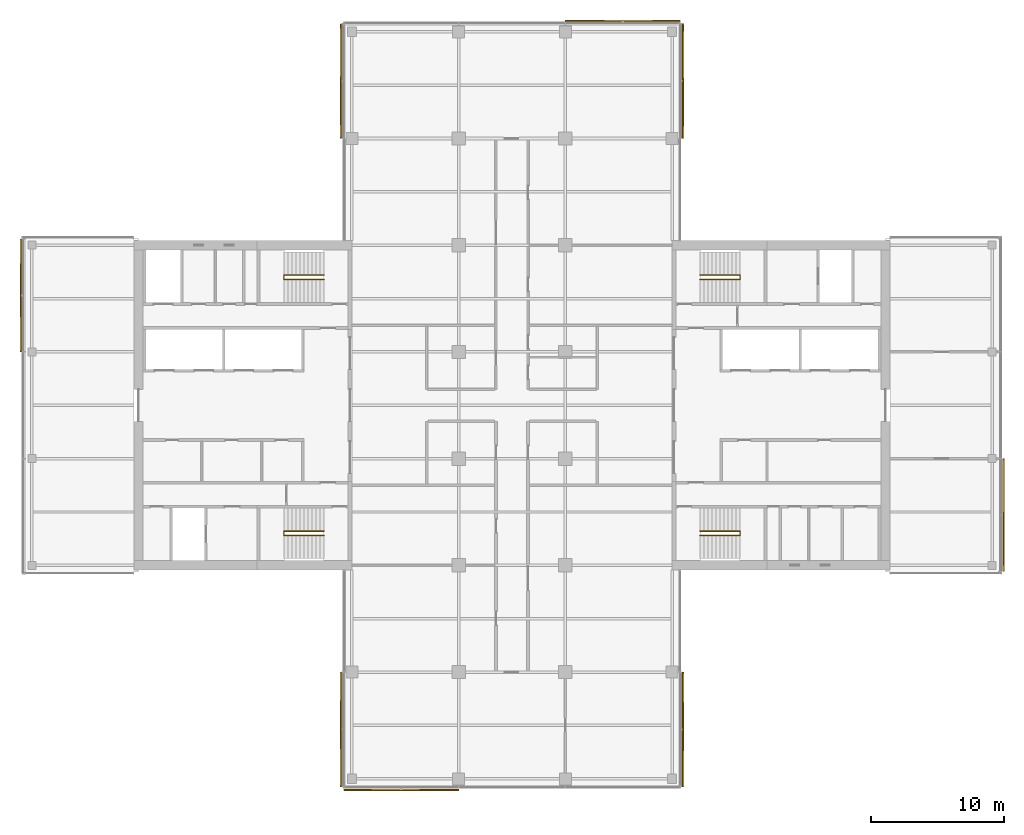
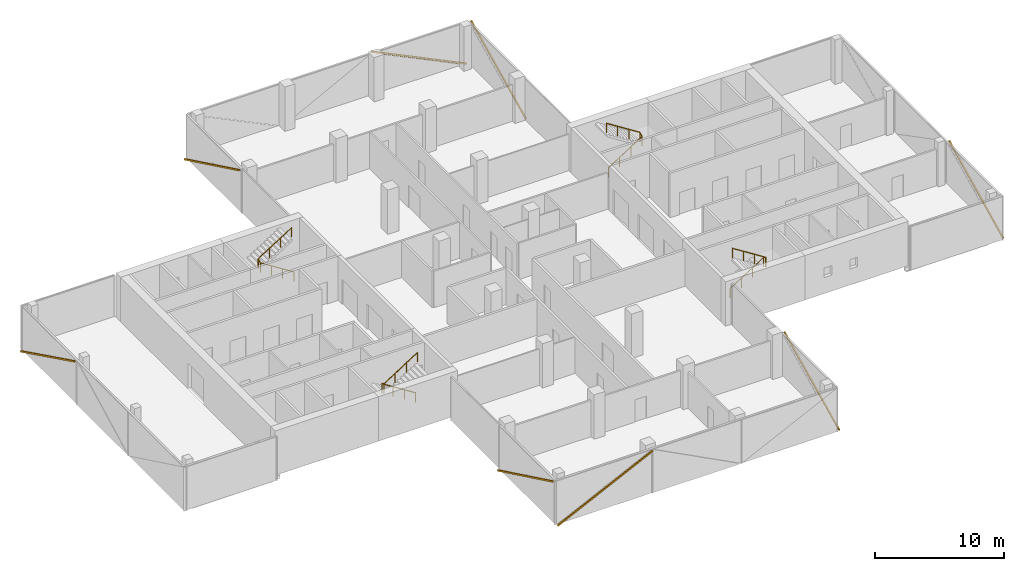
# One storey, part 22 of 22: 8 shading devices, 4 railings, 8 elements without a shape of their own.
"""IFC4 building model written with IfcOpenShell, lengths in metres."""

import ifcopenshell
import ifcopenshell.guid

model = None  # the IFC model being written
_history = None  # IfcOwnerHistory: only IFC2X3 demands one
_inside = {}  # id of a spatial element -> (the spatial element, [elements in it])
_under = {}  # id of a project, library or spatial element -> (it, [spatial elements below it])
_declared = {}  # id of a project -> (the project, [libraries it declares])
_typed = {}  # id of a type object -> (the type object, [elements of that type])
_made_of = {}  # id of a material, layer set ... -> (it, [elements and type objects made of it])


def new_model(schema):
    """Start an empty IFC model of exactly this schema.

    Asked for "IFC4X3", IfcOpenShell would pick the latest addendum, in which some entities
    have other attributes; the version numbers below select the first issue.
    IFC2X3 requires an IfcOwnerHistory on every rooted entity: one is made here for all.
    """
    global model, _history
    if schema == "IFC4X3":
        model = ifcopenshell.file(schema_version=(4, 3, 0, 0))
    else:
        model = ifcopenshell.file(schema=schema)
    _inside.clear()
    _under.clear()
    _declared.clear()
    _typed.clear()
    _made_of.clear()
    _history = None
    if model.schema == "IFC2X3":
        org = make("IfcOrganization", Name="unknown")
        user = make(
            "IfcPersonAndOrganization",
            ThePerson=make("IfcPerson", FamilyName="unknown"),
            TheOrganization=org,
        )
        app = make(
            "IfcApplication",
            ApplicationDeveloper=org,
            Version="unknown",
            ApplicationFullName="unknown",
            ApplicationIdentifier="unknown",
        )
        _history = make(
            "IfcOwnerHistory",
            OwningUser=user,
            OwningApplication=app,
            ChangeAction="ADDED",
            CreationDate=0,
        )
    return model


def make(cls, **values):
    """One entity of the class cls with the attributes given. An attribute that is None is left unset."""
    return model.create_entity(
        cls, **{name: value for name, value in values.items() if value is not None}
    )


def rooted(cls, **values):
    """An entity with a GlobalId (a new one), such as an element, a storey or a relation."""
    return make(cls, GlobalId=ifcopenshell.guid.new(), OwnerHistory=_history, **values)


def si_unit(unit_type, name, prefix=None):
    """IfcSIUnit, for example si_unit("LENGTHUNIT", "METRE", prefix="MILLI")."""
    return make("IfcSIUnit", UnitType=unit_type, Prefix=prefix, Name=name)


def assignment(units):
    """IfcUnitAssignment: the units of a project."""
    return None if units is None else make("IfcUnitAssignment", Units=units)


def point(xyz):
    """IfcCartesianPoint."""
    return None if xyz is None else make("IfcCartesianPoint", Coordinates=xyz)


def direction(xyz):
    """IfcDirection."""
    return None if xyz is None else make("IfcDirection", DirectionRatios=xyz)


def frame(location, z_axis=None, x_axis=None):
    """IfcAxis2Placement3D, a coordinate frame: its origin and axes. An axis left out is left unset."""
    return make(
        "IfcAxis2Placement3D",
        Location=point(location),
        Axis=direction(z_axis),
        RefDirection=direction(x_axis),
    )


def frame_2d(location, x_axis=None):
    """IfcAxis2Placement2D, a coordinate frame in the plane: its origin and x axis."""
    return make(
        "IfcAxis2Placement2D", Location=point(location), RefDirection=direction(x_axis)
    )


def origin():
    """The frame at (0, 0, 0) with its axes left unset."""
    return frame((0.0, 0.0, 0.0))


def origin_2d():
    """The frame at (0, 0) in the plane with its x axis left unset."""
    return frame_2d((0.0, 0.0))


def place(relative_to, where):
    """IfcLocalPlacement: puts the frame where relative to a parent placement (None: the world)."""
    return make(
        "IfcLocalPlacement", PlacementRelTo=relative_to, RelativePlacement=where
    )


def context(
    kind, dimensions, precision=None, world=None, true_north=None, identifier=None
):
    """IfcGeometricRepresentationContext, for example the 3D "Model" context."""
    return make(
        "IfcGeometricRepresentationContext",
        ContextIdentifier=identifier,
        ContextType=kind,
        CoordinateSpaceDimension=dimensions,
        Precision=precision,
        WorldCoordinateSystem=world,
        TrueNorth=true_north,
    )


def subcontext(parent, identifier, kind, view, scale=None):
    """IfcGeometricRepresentationSubContext, for example "Body" below "Model"."""
    return make(
        "IfcGeometricRepresentationSubContext",
        ContextIdentifier=identifier,
        ContextType=kind,
        ParentContext=parent,
        TargetScale=scale,
        TargetView=view,
    )


def project(units=None, contexts=None):
    """IfcProject with its units and contexts."""
    return rooted(
        "IfcProject",
        Name="project",
        RepresentationContexts=contexts,
        UnitsInContext=assignment(units),
    )


def spatial(cls, under=None, at=None, **own):
    """A site, building, storey or space (cls), placed at a placement, below another one or the project."""
    s = rooted(cls, ObjectPlacement=at, **own)
    if under is not None:
        _under.setdefault(under.id(), (under, []))[1].append(s)
    return s


def profile(cls, at=None, kind="AREA", **sizes):
    """A parametric profile (cls). Its sizes go by their IFC names, for example OverallWidth=200.0."""
    return make(cls, ProfileType=kind, Position=at, **sizes)


def rectangle(**sizes):
    """IfcRectangleProfileDef."""
    return profile("IfcRectangleProfileDef", **sizes)


def circle(**sizes):
    """IfcCircleProfileDef."""
    return profile("IfcCircleProfileDef", **sizes)


def extrude(swept, where, along, depth):
    """IfcExtrudedAreaSolid: the profile swept, set in the frame where, extruded along a direction by depth."""
    return make(
        "IfcExtrudedAreaSolid",
        SweptArea=swept,
        Position=where,
        ExtrudedDirection=direction(along),
        Depth=depth,
    )


def shape(context_of_items, identifier, shape_type, items):
    """IfcShapeRepresentation: the items that make up one representation, for example the "Body"."""
    return make(
        "IfcShapeRepresentation",
        ContextOfItems=context_of_items,
        RepresentationIdentifier=identifier,
        RepresentationType=shape_type,
        Items=items,
    )


def material(Name=None, Category=None):
    """IfcMaterial."""
    return make("IfcMaterial", Name=Name, Category=Category)


def material_profile(
    of_material, cross_section, Name=None, Category=None, Priority=None
):
    """IfcMaterialProfile: a cross section and its material."""
    return make(
        "IfcMaterialProfile",
        Name=Name,
        Material=of_material,
        Profile=cross_section,
        Priority=Priority,
        Category=Category,
    )


def profile_set(profiles, Name=None, composite=None):
    """IfcMaterialProfileSet."""
    return make(
        "IfcMaterialProfileSet",
        Name=Name,
        MaterialProfiles=profiles,
        CompositeProfile=composite,
    )


def made_of(thing, what):
    """Note that an element or type object is made of a material, layer set ...; save() writes the relation."""
    if what is not None:
        _made_of.setdefault(what.id(), (what, []))[1].append(thing)
    return thing


def type_object(cls, material=None, **own):
    """A type object (cls), such as IfcWallType, which elements share."""
    return made_of(rooted(cls, **own), material)


def element(
    cls,
    number,
    at=None,
    inside=None,
    cuts=None,
    type_object=None,
    material=None,
    context=None,
    identifier="Body",
    shape_type=None,
    held_by="IfcProductDefinitionShape",
    body=None,
    shapes=None,
    **own,
):
    """One element of the class cls, such as IfcWall. Its Tag is "e" and its number.

    at: its placement. inside: the storey or other place that contains it. cuts: it is an
    opening in that element (IfcRelVoidsElement). A single representation is given by context,
    identifier, shape_type and body (its items); several are given by shapes. held_by: the class
    of the entity that holds the representations. save() writes the other relations.
    """
    e = rooted(cls, Tag="e%d" % number, ObjectPlacement=at, **own)
    if body is not None:
        shapes = [shape(context, identifier, shape_type, body)]
    if shapes is not None:
        e.Representation = make(held_by, Representations=shapes)
    if inside is not None:
        _inside.setdefault(inside.id(), (inside, []))[1].append(e)
    if cuts is not None:
        rooted(
            "IfcRelVoidsElement", RelatingBuildingElement=cuts, RelatedOpeningElement=e
        )
    if type_object is not None:
        _typed.setdefault(type_object.id(), (type_object, []))[1].append(e)
    return made_of(e, material)


def aggregate(whole, parts):
    """IfcRelAggregates: a whole, such as a stair, and the parts it consists of."""
    return rooted("IfcRelAggregates", RelatingObject=whole, RelatedObjects=parts)


def save(model, path):
    """Write the relations noted so far, then the file.

    IfcRelAggregates (storeys below a building ...), IfcRelContainedInSpatialStructure (elements
    in a storey), IfcRelDefinesByType, IfcRelAssociatesMaterial and IfcRelDeclares: one each for
    every whole, place, type object, material and project.
    """
    for whole, parts in _under.values():
        aggregate(whole, parts)
    for where, things in _inside.values():
        rooted(
            "IfcRelContainedInSpatialStructure",
            RelatedElements=things,
            RelatingStructure=where,
        )
    for kind, things in _typed.values():
        rooted("IfcRelDefinesByType", RelatedObjects=things, RelatingType=kind)
    for what, things in _made_of.values():
        rooted("IfcRelAssociatesMaterial", RelatedObjects=things, RelatingMaterial=what)
    for by, libraries in _declared.values():
        rooted("IfcRelDeclares", RelatingContext=by, RelatedDefinitions=libraries)
    model.write(path)


model = new_model("IFC4")

# Units and contexts
model_context = context("Model", 3, precision=1e-05, world=origin(), true_north=direction((0.0, 1.0)))
body_context = subcontext(model_context, "Body", "Model", "MODEL_VIEW")
ifc_project = project(units=[si_unit("LENGTHUNIT", "METRE"), si_unit("AREAUNIT", "SQUARE_METRE"), si_unit("VOLUMEUNIT", "CUBIC_METRE"), si_unit("PLANEANGLEUNIT", "RADIAN"), si_unit("MASSUNIT", "GRAM", prefix="KILO")], contexts=[model_context])

# Site, building, storey
site_placement = place(None, origin())
site = spatial("IfcSite", under=ifc_project, at=site_placement, CompositionType="ELEMENT")
building_placement = place(site_placement, origin())
building = spatial("IfcBuilding", under=site, at=building_placement, Name="Crosswind Convention Tower", CompositionType="ELEMENT")
storey_placement = place(building_placement, frame((0.0, 0.0, 150.5)))
storey = spatial("IfcBuildingStorey", under=building, at=storey_placement, Name="L31", CompositionType="ELEMENT", Elevation=150.5)

# Railings
ifc_material_1 = material(Name="Stainless steel", Category="steel")
railing_type = type_object("IfcRailingType", Name="Stair handrail 900", PredefinedType="HANDRAIL", material=ifc_material_1)
railing_1_placement = place(storey_placement, frame((139.10009765625, 109.43994140625, 0.19091796875)))
element("IfcRailing", 1, at=railing_1_placement, inside=storey, type_object=railing_type, Name="Stair ST1 handrail L31", PredefinedType="HANDRAIL", context=body_context, shape_type="SweptSolid", body=[
    extrude(circle(Radius=0.02392578125, at=origin_2d()), frame((0.0, 0.0, 0.8759765625), z_axis=(0.843650179428, 0.0, 0.536893261973), x_axis=(0.0, 1.0, 0.0)), (0.0, 0.0, 1.0), 3.555908203125),
    extrude(circle(Radius=0.02392578125, at=origin_2d()), frame((3.0, 0.0, 2.78515625), z_axis=(0.0, 0.858819504967, 0.512278301208), x_axis=(-1.0, 0.0, 0.0)), (0.0, 0.0, 1.0), 0.372802734375),
    extrude(circle(Radius=0.02392578125, at=origin_2d()), frame((3.0, 0.320068359375, 2.97607421875), z_axis=(-0.843681277094, 0.0, 0.536844393359), x_axis=(0.0, -1.0, 0.0)), (0.0, 0.0, 1.0), 3.555908203125),
    extrude(circle(Radius=0.02099609375, at=origin_2d()), origin(), (0.0, 0.0, 1.0), 0.851806640625),
    extrude(circle(Radius=0.02099609375, at=origin_2d()), frame((1.0, 0.0, 0.636474609375)), (0.0, 0.0, 1.0), 0.851806640625),
    extrude(circle(Radius=0.02099609375, at=origin_2d()), frame((2.0, 0.0, 1.272705078125)), (0.0, 0.0, 1.0), 0.851806640625),
    extrude(circle(Radius=0.02099609375, at=origin_2d()), frame((3.0, 0.0, 1.9091796875)), (0.0, 0.0, 1.0), 0.851806640625),
    extrude(circle(Radius=0.02099609375, at=origin_2d()), frame((3.0, 0.320068359375, 2.10009765625)), (0.0, 0.0, 1.0), 0.851806640625),
    extrude(circle(Radius=0.02099609375, at=origin_2d()), frame((2.0, 0.320068359375, 2.736328125)), (0.0, 0.0, 1.0), 0.851806640625),
    extrude(circle(Radius=0.02099609375, at=origin_2d()), frame((1.0, 0.320068359375, 3.372802734375)), (0.0, 0.0, 1.0), 0.851806640625),
    extrude(circle(Radius=0.02099609375, at=origin_2d()), frame((0.0, 0.320068359375, 4.009033203125)), (0.0, 0.0, 1.0), 0.851806640625),
])
railing_2_placement = place(storey_placement, frame((139.10009765625, 90.56005859375, 0.19091796875)))
element("IfcRailing", 2, at=railing_2_placement, inside=storey, type_object=railing_type, Name="Stair ST2 handrail L31", PredefinedType="HANDRAIL", context=body_context, shape_type="SweptSolid", body=[
    extrude(circle(Radius=0.02392578125, at=origin_2d()), frame((0.0, 0.0, 0.8759765625), z_axis=(0.843650179428, 0.0, 0.536893261973), x_axis=(0.0, 1.0, 0.0)), (0.0, 0.0, 1.0), 3.555908203125),
    extrude(circle(Radius=0.02392578125, at=origin_2d()), frame((3.0, 0.0, 2.78515625), z_axis=(0.0, -0.858819504967, 0.512278301208), x_axis=(1.0, 0.0, 0.0)), (0.0, 0.0, 1.0), 0.372802734375),
    extrude(circle(Radius=0.02392578125, at=origin_2d()), frame((3.0, -0.320068359375, 2.97607421875), z_axis=(-0.843681277094, 0.0, 0.536844393359), x_axis=(0.0, -1.0, 0.0)), (0.0, 0.0, 1.0), 3.555908203125),
    extrude(circle(Radius=0.02099609375, at=origin_2d()), origin(), (0.0, 0.0, 1.0), 0.851806640625),
    extrude(circle(Radius=0.02099609375, at=origin_2d()), frame((1.0, 0.0, 0.636474609375)), (0.0, 0.0, 1.0), 0.851806640625),
    extrude(circle(Radius=0.02099609375, at=origin_2d()), frame((2.0, 0.0, 1.272705078125)), (0.0, 0.0, 1.0), 0.851806640625),
    extrude(circle(Radius=0.02099609375, at=origin_2d()), frame((3.0, 0.0, 1.9091796875)), (0.0, 0.0, 1.0), 0.851806640625),
    extrude(circle(Radius=0.02099609375, at=origin_2d()), frame((3.0, -0.320068359375, 2.10009765625)), (0.0, 0.0, 1.0), 0.851806640625),
    extrude(circle(Radius=0.02099609375, at=origin_2d()), frame((2.0, -0.320068359375, 2.736328125)), (0.0, 0.0, 1.0), 0.851806640625),
    extrude(circle(Radius=0.02099609375, at=origin_2d()), frame((1.0, -0.320068359375, 3.372802734375)), (0.0, 0.0, 1.0), 0.851806640625),
    extrude(circle(Radius=0.02099609375, at=origin_2d()), frame((0.0, -0.320068359375, 4.009033203125)), (0.0, 0.0, 1.0), 0.851806640625),
])
railing_3_placement = place(storey_placement, frame((110.89990234375, 90.56005859375, 0.19091796875)))
element("IfcRailing", 3, at=railing_3_placement, inside=storey, type_object=railing_type, Name="Stair ST3 handrail L31", PredefinedType="HANDRAIL", context=body_context, shape_type="SweptSolid", body=[
    extrude(circle(Radius=0.02392578125, at=origin_2d()), frame((0.0, 0.0, 0.8759765625), z_axis=(-0.843650179428, 0.0, 0.536893261973), x_axis=(0.0, -1.0, 0.0)), (0.0, 0.0, 1.0), 3.555908203125),
    extrude(circle(Radius=0.02392578125, at=origin_2d()), frame((-3.0, 0.0, 2.78515625), z_axis=(0.0, -0.858819504967, 0.512278301208), x_axis=(1.0, 0.0, 0.0)), (0.0, 0.0, 1.0), 0.372802734375),
    extrude(circle(Radius=0.02392578125, at=origin_2d()), frame((-3.0, -0.320068359375, 2.97607421875), z_axis=(0.843681277094, 0.0, 0.536844393359), x_axis=(0.0, 1.0, 0.0)), (0.0, 0.0, 1.0), 3.555908203125),
    extrude(circle(Radius=0.02099609375, at=origin_2d()), origin(), (0.0, 0.0, 1.0), 0.851806640625),
    extrude(circle(Radius=0.02099609375, at=origin_2d()), frame((-1.0, 0.0, 0.636474609375)), (0.0, 0.0, 1.0), 0.851806640625),
    extrude(circle(Radius=0.02099609375, at=origin_2d()), frame((-2.0, 0.0, 1.272705078125)), (0.0, 0.0, 1.0), 0.851806640625),
    extrude(circle(Radius=0.02099609375, at=origin_2d()), frame((-3.0, 0.0, 1.9091796875)), (0.0, 0.0, 1.0), 0.851806640625),
    extrude(circle(Radius=0.02099609375, at=origin_2d()), frame((-3.0, -0.320068359375, 2.10009765625)), (0.0, 0.0, 1.0), 0.851806640625),
    extrude(circle(Radius=0.02099609375, at=origin_2d()), frame((-2.0, -0.320068359375, 2.736328125)), (0.0, 0.0, 1.0), 0.851806640625),
    extrude(circle(Radius=0.02099609375, at=origin_2d()), frame((-1.0, -0.320068359375, 3.372802734375)), (0.0, 0.0, 1.0), 0.851806640625),
    extrude(circle(Radius=0.02099609375, at=origin_2d()), frame((0.0, -0.320068359375, 4.009033203125)), (0.0, 0.0, 1.0), 0.851806640625),
])
railing_4_placement = place(storey_placement, frame((110.89990234375, 109.43994140625, 0.19091796875)))
element("IfcRailing", 4, at=railing_4_placement, inside=storey, type_object=railing_type, Name="Stair ST4 handrail L31", PredefinedType="HANDRAIL", context=body_context, shape_type="SweptSolid", body=[
    extrude(circle(Radius=0.02392578125, at=origin_2d()), frame((0.0, 0.0, 0.8759765625), z_axis=(-0.843650179428, 0.0, 0.536893261973), x_axis=(0.0, -1.0, 0.0)), (0.0, 0.0, 1.0), 3.555908203125),
    extrude(circle(Radius=0.02392578125, at=origin_2d()), frame((-3.0, 0.0, 2.78515625), z_axis=(0.0, 0.858819504967, 0.512278301208), x_axis=(-1.0, 0.0, 0.0)), (0.0, 0.0, 1.0), 0.372802734375),
    extrude(circle(Radius=0.02392578125, at=origin_2d()), frame((-3.0, 0.320068359375, 2.97607421875), z_axis=(0.843681277094, 0.0, 0.536844393359), x_axis=(0.0, 1.0, 0.0)), (0.0, 0.0, 1.0), 3.555908203125),
    extrude(circle(Radius=0.02099609375, at=origin_2d()), origin(), (0.0, 0.0, 1.0), 0.851806640625),
    extrude(circle(Radius=0.02099609375, at=origin_2d()), frame((-1.0, 0.0, 0.636474609375)), (0.0, 0.0, 1.0), 0.851806640625),
    extrude(circle(Radius=0.02099609375, at=origin_2d()), frame((-2.0, 0.0, 1.272705078125)), (0.0, 0.0, 1.0), 0.851806640625),
    extrude(circle(Radius=0.02099609375, at=origin_2d()), frame((-3.0, 0.0, 1.9091796875)), (0.0, 0.0, 1.0), 0.851806640625),
    extrude(circle(Radius=0.02099609375, at=origin_2d()), frame((-3.0, 0.320068359375, 2.10009765625)), (0.0, 0.0, 1.0), 0.851806640625),
    extrude(circle(Radius=0.02099609375, at=origin_2d()), frame((-2.0, 0.320068359375, 2.736328125)), (0.0, 0.0, 1.0), 0.851806640625),
    extrude(circle(Radius=0.02099609375, at=origin_2d()), frame((-1.0, 0.320068359375, 3.372802734375)), (0.0, 0.0, 1.0), 0.851806640625),
    extrude(circle(Radius=0.02099609375, at=origin_2d()), frame((0.0, 0.320068359375, 4.009033203125)), (0.0, 0.0, 1.0), 0.851806640625),
])

# Curtain wall, shading device
ifc_material_2 = material(Name="Aluminium unitised curtain wall", Category="aluminium")
curtain_wall_type = type_object("IfcCurtainWallType", Name="OFFICE UNITISED WALL 220", PredefinedType="USERDEFINED", material=ifc_material_2)
curtain_wall_1_placement = place(storey_placement, origin())
curtain_wall_1 = element("IfcCurtainWall", 5, at=curtain_wall_1_placement, inside=storey, type_object=curtain_wall_type, Name="CW3 L31 E-TIP 1", ObjectType="UNITISED", PredefinedType="USERDEFINED")
ifc_material_3 = material(Name="Extruded terracotta", Category="masonry")
ifc_material_profile = material_profile(ifc_material_3, rectangle(XDim=0.110107421875, YDim=0.1298828125, at=origin_2d()), Name="TC 110X130")
ifc_profile_set = profile_set([ifc_material_profile], Name="Extruded terracotta")
shading_device_type = type_object("IfcShadingDeviceType", Name="TERRACOTTA BAGUETTE 130X110", PredefinedType="USERDEFINED", material=ifc_profile_set)
shading_device_1_placement = place(storey_placement, frame((161.8310546875, 87.570068359375, -0.300048828125), z_axis=(0.0, 0.89728947872, 0.44144262524), x_axis=(-1.0, 0.0, 0.0)))
shading_device_1 = element("IfcShadingDevice", 6, at=shading_device_1_placement, type_object=shading_device_type, Name="CW3 terracotta baguette 1", ObjectType="BAGUETTE", PredefinedType="USERDEFINED", context=body_context, shape_type="SweptSolid", body=[
    extrude(rectangle(XDim=0.110107421875, YDim=0.1298828125, at=origin_2d()), origin(), (0.0, 0.0, 1.0), 9.35595703125),
])
aggregate(curtain_wall_1, [shading_device_1])

curtain_wall_2_placement = place(storey_placement, origin())
curtain_wall_2 = element("IfcCurtainWall", 7, at=curtain_wall_2_placement, inside=storey, type_object=curtain_wall_type, Name="CW3 L31 N-E 1", ObjectType="UNITISED", PredefinedType="USERDEFINED")
shading_device_2_placement = place(storey_placement, frame((137.8310546875, 120.034912109375, -0.300048828125), z_axis=(0.0, 0.900248093769, 0.435377272793), x_axis=(-1.0, 0.0, 0.0)))
shading_device_2 = element("IfcShadingDevice", 8, at=shading_device_2_placement, type_object=shading_device_type, Name="CW3 terracotta baguette 1", ObjectType="BAGUETTE", PredefinedType="USERDEFINED", context=body_context, shape_type="SweptSolid", body=[
    extrude(rectangle(XDim=0.110107421875, YDim=0.1298828125, at=origin_2d()), origin(), (0.0, 0.0, 1.0), 9.486328125),
])
aggregate(curtain_wall_2, [shading_device_2])

curtain_wall_3_placement = place(storey_placement, origin())
curtain_wall_3 = element("IfcCurtainWall", 9, at=curtain_wall_3_placement, inside=storey, type_object=curtain_wall_type, Name="CW3 L31 N-TIP 1", ObjectType="UNITISED", PredefinedType="USERDEFINED")
shading_device_3_placement = place(storey_placement, frame((137.574951171875, 128.8310546875, -0.300048828125), z_axis=(-0.900248093769, 0.0, 0.435377272793), x_axis=(0.0, -1.0, 0.0)))
shading_device_3 = element("IfcShadingDevice", 10, at=shading_device_3_placement, type_object=shading_device_type, Name="CW3 terracotta baguette 1", ObjectType="BAGUETTE", PredefinedType="USERDEFINED", context=body_context, shape_type="SweptSolid", body=[
    extrude(rectangle(XDim=0.110107421875, YDim=0.1298828125, at=origin_2d()), origin(), (0.0, 0.0, 1.0), 9.486328125),
])
aggregate(curtain_wall_3, [shading_device_3])

curtain_wall_4_placement = place(storey_placement, origin())
curtain_wall_4 = element("IfcCurtainWall", 11, at=curtain_wall_4_placement, inside=storey, type_object=curtain_wall_type, Name="CW3 L31 N-W 1", ObjectType="UNITISED", PredefinedType="USERDEFINED")
shading_device_4_placement = place(storey_placement, frame((112.1689453125, 128.574951171875, -0.300048828125), z_axis=(0.0, -0.900248093769, 0.435377272793), x_axis=(1.0, 0.0, 0.0)))
shading_device_4 = element("IfcShadingDevice", 12, at=shading_device_4_placement, type_object=shading_device_type, Name="CW3 terracotta baguette 1", ObjectType="BAGUETTE", PredefinedType="USERDEFINED", context=body_context, shape_type="SweptSolid", body=[
    extrude(rectangle(XDim=0.110107421875, YDim=0.1298828125, at=origin_2d()), origin(), (0.0, 0.0, 1.0), 9.486328125),
])
aggregate(curtain_wall_4, [shading_device_4])

curtain_wall_5_placement = place(storey_placement, origin())
curtain_wall_5 = element("IfcCurtainWall", 13, at=curtain_wall_5_placement, inside=storey, type_object=curtain_wall_type, Name="CW3 L31 W-TIP 1", ObjectType="UNITISED", PredefinedType="USERDEFINED")
shading_device_5_placement = place(storey_placement, frame((88.1689453125, 112.429931640625, -0.300048828125), z_axis=(0.0, -0.89728947872, 0.44144262524), x_axis=(1.0, 0.0, 0.0)))
shading_device_5 = element("IfcShadingDevice", 14, at=shading_device_5_placement, type_object=shading_device_type, Name="CW3 terracotta baguette 1", ObjectType="BAGUETTE", PredefinedType="USERDEFINED", context=body_context, shape_type="SweptSolid", body=[
    extrude(rectangle(XDim=0.110107421875, YDim=0.1298828125, at=origin_2d()), origin(), (0.0, 0.0, 1.0), 9.35595703125),
])
aggregate(curtain_wall_5, [shading_device_5])

curtain_wall_6_placement = place(storey_placement, origin())
curtain_wall_6 = element("IfcCurtainWall", 15, at=curtain_wall_6_placement, inside=storey, type_object=curtain_wall_type, Name="CW3 L31 S-W 1", ObjectType="UNITISED", PredefinedType="USERDEFINED")
shading_device_6_placement = place(storey_placement, frame((112.1689453125, 79.965087890625, -0.300048828125), z_axis=(0.0, -0.900248093769, 0.435377272793), x_axis=(1.0, 0.0, 0.0)))
shading_device_6 = element("IfcShadingDevice", 16, at=shading_device_6_placement, type_object=shading_device_type, Name="CW3 terracotta baguette 1", ObjectType="BAGUETTE", PredefinedType="USERDEFINED", context=body_context, shape_type="SweptSolid", body=[
    extrude(rectangle(XDim=0.110107421875, YDim=0.1298828125, at=origin_2d()), origin(), (0.0, 0.0, 1.0), 9.486328125),
])
aggregate(curtain_wall_6, [shading_device_6])

curtain_wall_7_placement = place(storey_placement, origin())
curtain_wall_7 = element("IfcCurtainWall", 17, at=curtain_wall_7_placement, inside=storey, type_object=curtain_wall_type, Name="CW3 L31 S-TIP 1", ObjectType="UNITISED", PredefinedType="USERDEFINED")
shading_device_7_placement = place(storey_placement, frame((112.425048828125, 71.1689453125, -0.300048828125), z_axis=(0.900248093769, 0.0, 0.435377272793), x_axis=(0.0, 1.0, 0.0)))
shading_device_7 = element("IfcShadingDevice", 18, at=shading_device_7_placement, type_object=shading_device_type, Name="CW3 terracotta baguette 1", ObjectType="BAGUETTE", PredefinedType="USERDEFINED", context=body_context, shape_type="SweptSolid", body=[
    extrude(rectangle(XDim=0.110107421875, YDim=0.1298828125, at=origin_2d()), origin(), (0.0, 0.0, 1.0), 9.486328125),
])
aggregate(curtain_wall_7, [shading_device_7])

curtain_wall_8_placement = place(storey_placement, origin())
curtain_wall_8 = element("IfcCurtainWall", 19, at=curtain_wall_8_placement, inside=storey, type_object=curtain_wall_type, Name="CW3 L31 S-E 1", ObjectType="UNITISED", PredefinedType="USERDEFINED")
shading_device_8_placement = place(storey_placement, frame((137.8310546875, 71.425048828125, -0.300048828125), z_axis=(0.0, 0.900248093769, 0.435377272793), x_axis=(-1.0, 0.0, 0.0)))
shading_device_8 = element("IfcShadingDevice", 20, at=shading_device_8_placement, type_object=shading_device_type, Name="CW3 terracotta baguette 1", ObjectType="BAGUETTE", PredefinedType="USERDEFINED", context=body_context, shape_type="SweptSolid", body=[
    extrude(rectangle(XDim=0.110107421875, YDim=0.1298828125, at=origin_2d()), origin(), (0.0, 0.0, 1.0), 9.486328125),
])
aggregate(curtain_wall_8, [shading_device_8])

save(model, "model.ifc")
